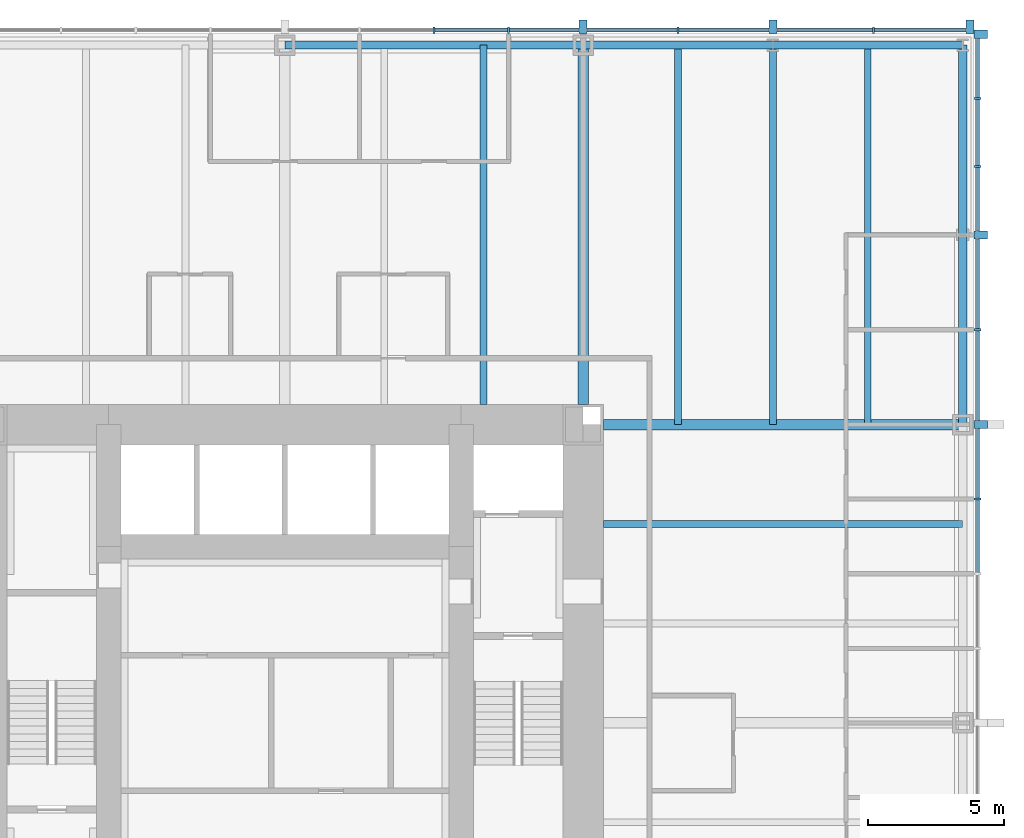
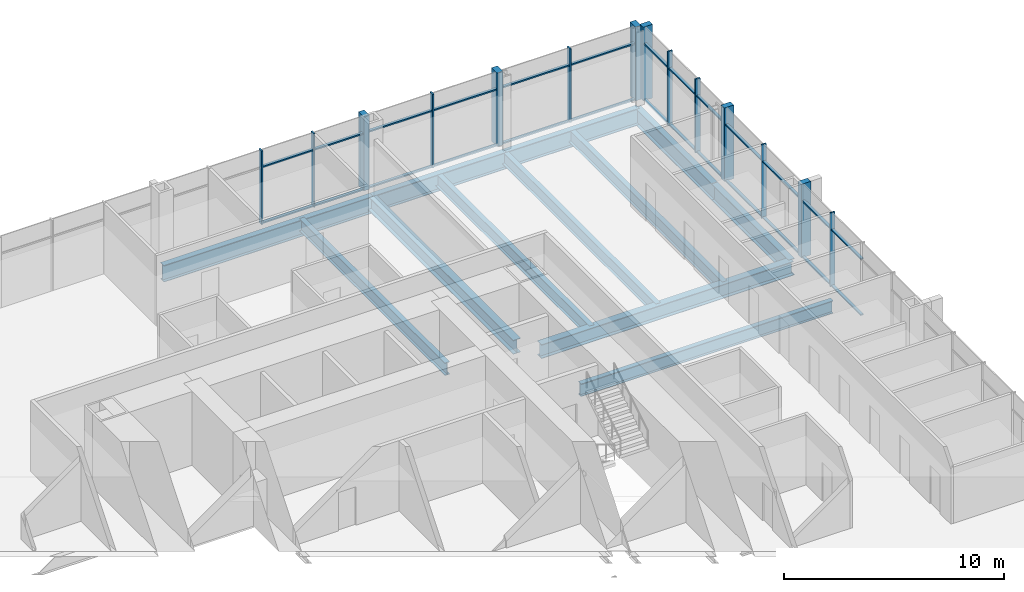
# One storey, part 6 of 12: 40 members, 12 beams, 2 elements without a shape of their own.
"""IFC4 building model written with IfcOpenShell, lengths in metres."""

from ifc_helpers import new_model, si_unit, direction, frame, origin, origin_2d, place, context, subcontext, project, spatial, rectangle, i_section, extrude, material, material_profile, profile_set, type_object, element, aggregate, save


model = new_model("IFC4")

# Units and contexts
model_context = context("Model", 3, precision=1e-05, world=origin(), true_north=direction((0.0, 1.0)))
body_context = subcontext(model_context, "Body", "Model", "MODEL_VIEW")
ifc_project = project(units=[si_unit("LENGTHUNIT", "METRE"), si_unit("AREAUNIT", "SQUARE_METRE"), si_unit("VOLUMEUNIT", "CUBIC_METRE"), si_unit("PLANEANGLEUNIT", "RADIAN"), si_unit("MASSUNIT", "GRAM", prefix="KILO")], contexts=[model_context])

# Site, building, storey
site_placement = place(None, origin())
site = spatial("IfcSite", under=ifc_project, at=site_placement, CompositionType="ELEMENT")
building_placement = place(site_placement, origin())
building = spatial("IfcBuilding", under=site, at=building_placement, Name="Trevanion Tower", CompositionType="ELEMENT")
storey_placement = place(building_placement, frame((0.0, 0.0, 52.89990234375)))
storey = spatial("IfcBuildingStorey", under=building, at=storey_placement, Name="L12", CompositionType="ELEMENT", Elevation=52.89990234375)

# Beams
ifc_material_1 = material(Name="Steel ASTM A992 Grade 50", Category="steel")
ifc_material_profile_1 = material_profile(ifc_material_1, i_section(OverallWidth=0.25390625, OverallDepth=0.700927734375, WebThickness=0.015380859375, FlangeThickness=0.02783203125, at=origin_2d()), Name="W27X129")
ifc_profile_set_1 = profile_set([ifc_material_profile_1], Name="Steel ASTM A992 Grade 50")
beam_type_1 = type_object("IfcBeamType", Name="B3 W27X129", PredefinedType="BEAM", material=ifc_profile_set_1)
for number, where, z_axis, x_axis, name in (
    (1, (11.75, 7.333251953125, -0.540283203125), (1.0, 0.0, 0.0), (0.0, 1.0, 0.0), "B3 L12"),
    (2, (7.333251953125, 11.75, -0.540283203125), (0.0, 1.0, 0.0), (-1.0, 0.0, 0.0), "B3 L12"),
):
    element("IfcBeam", number, at=place(storey_placement, frame(where, z_axis=z_axis, x_axis=x_axis)), inside=storey, type_object=beam_type_1, Name=name, PredefinedType="BEAM", context=body_context, shape_type="SweptSolid", body=[
        extrude(i_section(OverallWidth=0.25390625, OverallDepth=0.700927734375, WebThickness=0.015380859375, FlangeThickness=0.02783203125, at=origin_2d()), origin(), (0.0, 0.0, 1.0), 13.25),
    ])
ifc_material_2 = material(Name="Steel ASTM A992 Grade 50", Category="steel")
ifc_material_profile_2 = material_profile(ifc_material_2, i_section(OverallWidth=0.256591796875, OverallDepth=0.693359375, WebThickness=0.014404296875, FlangeThickness=0.023681640625, at=origin_2d()), Name="W27X114")
ifc_profile_set_2 = profile_set([ifc_material_profile_2], Name="Steel ASTM A992 Grade 50")
beam_type_2 = type_object("IfcBeamType", Name="B4 W27X114", PredefinedType="BEAM", material=ifc_profile_set_2)
for number, where, z_axis, x_axis, name in (
    (3, (14.5, 11.0, -0.53662109375), (0.0, 1.0, 0.0), (-1.0, 0.0, 0.0), "B4 L12"),
    (4, (18.0, 11.0, -0.53662109375), (0.0, 1.0, 0.0), (-1.0, 0.0, 0.0), "B4 L12"),
    (5, (21.5, 11.0, -0.53662109375), (0.0, 1.0, 0.0), (-1.0, 0.0, 0.0), "B4 L12"),
):
    element("IfcBeam", number, at=place(storey_placement, frame(where, z_axis=z_axis, x_axis=x_axis)), inside=storey, type_object=beam_type_2, Name=name, PredefinedType="BEAM", context=body_context, shape_type="SweptSolid", body=[
        extrude(i_section(OverallWidth=0.256591796875, OverallDepth=0.693359375, WebThickness=0.014404296875, FlangeThickness=0.023681640625, at=origin_2d()), origin(), (0.0, 0.0, 1.0), 14.0),
    ])

# Curtain wall, members
ifc_material_3 = material(Name="Aluminium and glass", Category="aluminium")
curtain_wall_type = type_object("IfcCurtainWallType", Name="CW1 curtain wall", PredefinedType="USERDEFINED", material=ifc_material_3)
curtain_wall_1_placement = place(storey_placement, origin())
curtain_wall_1 = element("IfcCurtainWall", 6, at=curtain_wall_1_placement, inside=storey, type_object=curtain_wall_type, Name="CW1 L12 0", ObjectType="UNITISED CURTAIN WALL", PredefinedType="USERDEFINED")
ifc_material_4 = material(Name="Aluminium extrusion, anodised bronze", Category="aluminium")
ifc_material_profile_3 = material_profile(ifc_material_4, rectangle(XDim=0.074951171875, YDim=0.25, at=origin_2d()), Name="CW1 mullion")
ifc_profile_set_3 = profile_set([ifc_material_profile_3], Name="Aluminium extrusion, anodised bronze")
member_type_1 = type_object("IfcMemberType", Name="CW1 mullion", PredefinedType="MULLION", material=ifc_profile_set_3)
member_1_placement = place(storey_placement, frame((25.550048828125, 8.25, -0.18994140625), z_axis=(0.0, 0.0, 1.0), x_axis=(0.0, 1.0, 0.0)))
member_1 = element("IfcMember", 7, at=member_1_placement, type_object=member_type_1, Name="CW1 mullion 12", PredefinedType="MULLION", context=body_context, shape_type="SweptSolid", body=[
    extrude(rectangle(XDim=0.074951171875, YDim=0.25, at=origin_2d()), origin(), (0.0, 0.0, 1.0), 4.10009765625),
])
member_2_placement = place(storey_placement, frame((25.550048828125, 14.5, -0.18994140625), z_axis=(0.0, 0.0, 1.0), x_axis=(0.0, 1.0, 0.0)))
member_2 = element("IfcMember", 8, at=member_2_placement, type_object=member_type_1, Name="CW1 mullion 14", PredefinedType="MULLION", context=body_context, shape_type="SweptSolid", body=[
    extrude(rectangle(XDim=0.074951171875, YDim=0.25, at=origin_2d()), origin(), (0.0, 0.0, 1.0), 4.10009765625),
])
member_3_placement = place(storey_placement, frame((25.550048828125, 20.5166015625, -0.18994140625), z_axis=(0.0, 0.0, 1.0), x_axis=(0.0, 1.0, 0.0)))
member_3 = element("IfcMember", 9, at=member_3_placement, type_object=member_type_1, Name="CW1 mullion 16", PredefinedType="MULLION", context=body_context, shape_type="SweptSolid", body=[
    extrude(rectangle(XDim=0.074951171875, YDim=0.25, at=origin_2d()), origin(), (0.0, 0.0, 1.0), 4.10009765625),
])
member_4_placement = place(storey_placement, frame((25.550048828125, 23.033203125, -0.18994140625), z_axis=(0.0, 0.0, 1.0), x_axis=(0.0, 1.0, 0.0)))
member_4 = element("IfcMember", 10, at=member_4_placement, type_object=member_type_1, Name="CW1 mullion 17", PredefinedType="MULLION", context=body_context, shape_type="SweptSolid", body=[
    extrude(rectangle(XDim=0.074951171875, YDim=0.25, at=origin_2d()), origin(), (0.0, 0.0, 1.0), 4.10009765625),
])

curtain_wall_2_placement = place(storey_placement, origin())
curtain_wall_2 = element("IfcCurtainWall", 11, at=curtain_wall_2_placement, inside=storey, type_object=curtain_wall_type, Name="CW1 L12 1", ObjectType="UNITISED CURTAIN WALL", PredefinedType="USERDEFINED")
member_5_placement = place(storey_placement, frame((21.7099609375, 25.550048828125, -0.18994140625), z_axis=(0.0, 0.0, 1.0), x_axis=(-1.0, 0.0, 0.0)))
member_5 = element("IfcMember", 12, at=member_5_placement, type_object=member_type_1, Name="CW1 mullion 2", PredefinedType="MULLION", context=body_context, shape_type="SweptSolid", body=[
    extrude(rectangle(XDim=0.074951171875, YDim=0.25, at=origin_2d()), origin(), (0.0, 0.0, 1.0), 4.10009765625),
])
member_6_placement = place(storey_placement, frame((14.5, 25.550048828125, -0.18994140625), z_axis=(0.0, 0.0, 1.0), x_axis=(-1.0, 0.0, 0.0)))
member_6 = element("IfcMember", 13, at=member_6_placement, type_object=member_type_1, Name="CW1 mullion 4", PredefinedType="MULLION", context=body_context, shape_type="SweptSolid", body=[
    extrude(rectangle(XDim=0.074951171875, YDim=0.25, at=origin_2d()), origin(), (0.0, 0.0, 1.0), 4.10009765625),
])
member_7_placement = place(storey_placement, frame((8.25, 25.550048828125, -0.18994140625), z_axis=(0.0, 0.0, 1.0), x_axis=(-1.0, 0.0, 0.0)))
member_7 = element("IfcMember", 14, at=member_7_placement, type_object=member_type_1, Name="CW1 mullion 6", PredefinedType="MULLION", context=body_context, shape_type="SweptSolid", body=[
    extrude(rectangle(XDim=0.074951171875, YDim=0.25, at=origin_2d()), origin(), (0.0, 0.0, 1.0), 4.10009765625),
])
member_8_placement = place(storey_placement, frame((5.5, 25.550048828125, -0.18994140625), z_axis=(0.0, 0.0, 1.0), x_axis=(-1.0, 0.0, 0.0)))
member_8 = element("IfcMember", 15, at=member_8_placement, type_object=member_type_1, Name="CW1 mullion 7", PredefinedType="MULLION", context=body_context, shape_type="SweptSolid", body=[
    extrude(rectangle(XDim=0.074951171875, YDim=0.25, at=origin_2d()), origin(), (0.0, 0.0, 1.0), 4.10009765625),
])

# Member
ifc_material_5 = material(Name="Aluminium extrusion, anodised bronze", Category="aluminium")
ifc_material_profile_4 = material_profile(ifc_material_5, rectangle(XDim=0.300048828125, YDim=0.5, at=origin_2d()), Name="CW1 pier mullion")
ifc_profile_set_4 = profile_set([ifc_material_profile_4], Name="Aluminium extrusion, anodised bronze")
member_type_2 = type_object("IfcMemberType", Name="CW1 pier mullion", PredefinedType="MULLION", material=ifc_profile_set_4)
member_9_placement = place(storey_placement, frame((25.675048828125, 11.0, -0.18994140625), z_axis=(0.0, 0.0, 1.0), x_axis=(0.0, 1.0, 0.0)))
member_9 = element("IfcMember", 16, at=member_9_placement, type_object=member_type_2, Name="CW1 pier mullion 13", PredefinedType="MULLION", context=body_context, shape_type="SweptSolid", body=[
    extrude(rectangle(XDim=0.300048828125, YDim=0.5, at=origin_2d()), origin(), (0.0, 0.0, 1.0), 4.10009765625),
])

member_10_placement = place(storey_placement, frame((25.675048828125, 18.0, -0.18994140625), z_axis=(0.0, 0.0, 1.0), x_axis=(0.0, 1.0, 0.0)))
member_10 = element("IfcMember", 17, at=member_10_placement, type_object=member_type_2, Name="CW1 pier mullion 15", PredefinedType="MULLION", context=body_context, shape_type="SweptSolid", body=[
    extrude(rectangle(XDim=0.300048828125, YDim=0.5, at=origin_2d()), origin(), (0.0, 0.0, 1.0), 4.10009765625),
])

member_11_placement = place(storey_placement, frame((25.675048828125, 25.39990234375, -0.18994140625), z_axis=(0.0, 0.0, 1.0), x_axis=(0.0, 1.0, 0.0)))
member_11 = element("IfcMember", 18, at=member_11_placement, type_object=member_type_2, Name="CW1 pier mullion 18", PredefinedType="MULLION", context=body_context, shape_type="SweptSolid", body=[
    extrude(rectangle(XDim=0.300048828125, YDim=0.5, at=origin_2d()), origin(), (0.0, 0.0, 1.0), 4.10009765625),
])

member_12_placement = place(storey_placement, frame((25.27001953125, 25.675048828125, -0.18994140625), z_axis=(0.0, 0.0, 1.0), x_axis=(-1.0, 0.0, 0.0)))
member_12 = element("IfcMember", 19, at=member_12_placement, type_object=member_type_2, Name="CW1 pier mullion 1", PredefinedType="MULLION", context=body_context, shape_type="SweptSolid", body=[
    extrude(rectangle(XDim=0.300048828125, YDim=0.5, at=origin_2d()), origin(), (0.0, 0.0, 1.0), 4.10009765625),
])

member_13_placement = place(storey_placement, frame((18.0, 25.675048828125, -0.18994140625), z_axis=(0.0, 0.0, 1.0), x_axis=(-1.0, 0.0, 0.0)))
member_13 = element("IfcMember", 20, at=member_13_placement, type_object=member_type_2, Name="CW1 pier mullion 3", PredefinedType="MULLION", context=body_context, shape_type="SweptSolid", body=[
    extrude(rectangle(XDim=0.300048828125, YDim=0.5, at=origin_2d()), origin(), (0.0, 0.0, 1.0), 4.10009765625),
])

member_14_placement = place(storey_placement, frame((11.0, 25.675048828125, -0.18994140625), z_axis=(0.0, 0.0, 1.0), x_axis=(-1.0, 0.0, 0.0)))
member_14 = element("IfcMember", 21, at=member_14_placement, type_object=member_type_2, Name="CW1 pier mullion 5", PredefinedType="MULLION", context=body_context, shape_type="SweptSolid", body=[
    extrude(rectangle(XDim=0.300048828125, YDim=0.5, at=origin_2d()), origin(), (0.0, 0.0, 1.0), 4.10009765625),
])

ifc_material_6 = material(Name="Aluminium extrusion, anodised bronze", Category="aluminium")
ifc_material_profile_5 = material_profile(ifc_material_6, rectangle(XDim=0.14990234375, YDim=0.074951171875, at=origin_2d()), Name="CW1 transom")
ifc_profile_set_5 = profile_set([ifc_material_profile_5], Name="Aluminium extrusion, anodised bronze")
member_type_3 = type_object("IfcMemberType", Name="CW1 transom", PredefinedType="USERDEFINED", material=ifc_profile_set_5)
member_15_placement = place(storey_placement, frame((25.550048828125, 5.53759765625, -0.15234375), z_axis=(0.0, 1.0, 0.0), x_axis=(-1.0, 0.0, 0.0)))
member_15 = element("IfcMember", 22, at=member_15_placement, type_object=member_type_3, Name="CW1 transom 11.1", ObjectType="TRANSOM", PredefinedType="USERDEFINED", context=body_context, shape_type="SweptSolid", body=[
    extrude(rectangle(XDim=0.14990234375, YDim=0.074951171875, at=origin_2d()), origin(), (0.0, 0.0, 1.0), 2.6748046875),
])

member_16_placement = place(storey_placement, frame((25.550048828125, 5.53759765625, 2.960205078125), z_axis=(0.0, 1.0, 0.0), x_axis=(-1.0, 0.0, 0.0)))
member_16 = element("IfcMember", 23, at=member_16_placement, type_object=member_type_3, Name="CW1 transom 11.2", ObjectType="TRANSOM", PredefinedType="USERDEFINED", context=body_context, shape_type="SweptSolid", body=[
    extrude(rectangle(XDim=0.14990234375, YDim=0.074951171875, at=origin_2d()), origin(), (0.0, 0.0, 1.0), 2.6748046875),
])

member_17_placement = place(storey_placement, frame((25.550048828125, 8.28759765625, -0.15234375), z_axis=(0.0, 1.0, 0.0), x_axis=(-1.0, 0.0, 0.0)))
member_17 = element("IfcMember", 24, at=member_17_placement, type_object=member_type_3, Name="CW1 transom 12.1", ObjectType="TRANSOM", PredefinedType="USERDEFINED", context=body_context, shape_type="SweptSolid", body=[
    extrude(rectangle(XDim=0.14990234375, YDim=0.074951171875, at=origin_2d()), origin(), (0.0, 0.0, 1.0), 2.5625),
])

member_18_placement = place(storey_placement, frame((25.550048828125, 8.28759765625, 2.960205078125), z_axis=(0.0, 1.0, 0.0), x_axis=(-1.0, 0.0, 0.0)))
member_18 = element("IfcMember", 25, at=member_18_placement, type_object=member_type_3, Name="CW1 transom 12.2", ObjectType="TRANSOM", PredefinedType="USERDEFINED", context=body_context, shape_type="SweptSolid", body=[
    extrude(rectangle(XDim=0.14990234375, YDim=0.074951171875, at=origin_2d()), origin(), (0.0, 0.0, 1.0), 2.5625),
])

member_19_placement = place(storey_placement, frame((25.550048828125, 11.14990234375, -0.15234375), z_axis=(0.0, 1.0, 0.0), x_axis=(-1.0, 0.0, 0.0)))
member_19 = element("IfcMember", 26, at=member_19_placement, type_object=member_type_3, Name="CW1 transom 13.1", ObjectType="TRANSOM", PredefinedType="USERDEFINED", context=body_context, shape_type="SweptSolid", body=[
    extrude(rectangle(XDim=0.14990234375, YDim=0.074951171875, at=origin_2d()), origin(), (0.0, 0.0, 1.0), 3.3125),
])

member_20_placement = place(storey_placement, frame((25.550048828125, 11.14990234375, 2.960205078125), z_axis=(0.0, 1.0, 0.0), x_axis=(-1.0, 0.0, 0.0)))
member_20 = element("IfcMember", 27, at=member_20_placement, type_object=member_type_3, Name="CW1 transom 13.2", ObjectType="TRANSOM", PredefinedType="USERDEFINED", context=body_context, shape_type="SweptSolid", body=[
    extrude(rectangle(XDim=0.14990234375, YDim=0.074951171875, at=origin_2d()), origin(), (0.0, 0.0, 1.0), 3.3125),
])

member_21_placement = place(storey_placement, frame((25.550048828125, 14.53759765625, -0.15234375), z_axis=(0.0, 1.0, 0.0), x_axis=(-1.0, 0.0, 0.0)))
member_21 = element("IfcMember", 28, at=member_21_placement, type_object=member_type_3, Name="CW1 transom 14.1", ObjectType="TRANSOM", PredefinedType="USERDEFINED", context=body_context, shape_type="SweptSolid", body=[
    extrude(rectangle(XDim=0.14990234375, YDim=0.074951171875, at=origin_2d()), origin(), (0.0, 0.0, 1.0), 3.3125),
])

member_22_placement = place(storey_placement, frame((25.550048828125, 14.53759765625, 2.960205078125), z_axis=(0.0, 1.0, 0.0), x_axis=(-1.0, 0.0, 0.0)))
member_22 = element("IfcMember", 29, at=member_22_placement, type_object=member_type_3, Name="CW1 transom 14.2", ObjectType="TRANSOM", PredefinedType="USERDEFINED", context=body_context, shape_type="SweptSolid", body=[
    extrude(rectangle(XDim=0.14990234375, YDim=0.074951171875, at=origin_2d()), origin(), (0.0, 0.0, 1.0), 3.3125),
])

member_23_placement = place(storey_placement, frame((25.550048828125, 18.14990234375, -0.15234375), z_axis=(0.0, 1.0, 0.0), x_axis=(-1.0, 0.0, 0.0)))
member_23 = element("IfcMember", 30, at=member_23_placement, type_object=member_type_3, Name="CW1 transom 15.1", ObjectType="TRANSOM", PredefinedType="USERDEFINED", context=body_context, shape_type="SweptSolid", body=[
    extrude(rectangle(XDim=0.14990234375, YDim=0.074951171875, at=origin_2d()), origin(), (0.0, 0.0, 1.0), 2.329345703125),
])

member_24_placement = place(storey_placement, frame((25.550048828125, 18.14990234375, 2.960205078125), z_axis=(0.0, 1.0, 0.0), x_axis=(-1.0, 0.0, 0.0)))
member_24 = element("IfcMember", 31, at=member_24_placement, type_object=member_type_3, Name="CW1 transom 15.2", ObjectType="TRANSOM", PredefinedType="USERDEFINED", context=body_context, shape_type="SweptSolid", body=[
    extrude(rectangle(XDim=0.14990234375, YDim=0.074951171875, at=origin_2d()), origin(), (0.0, 0.0, 1.0), 2.329345703125),
])

member_25_placement = place(storey_placement, frame((25.550048828125, 20.55419921875, -0.15234375), z_axis=(0.0, 1.0, 0.0), x_axis=(-1.0, 0.0, 0.0)))
member_25 = element("IfcMember", 32, at=member_25_placement, type_object=member_type_3, Name="CW1 transom 16.1", ObjectType="TRANSOM", PredefinedType="USERDEFINED", context=body_context, shape_type="SweptSolid", body=[
    extrude(rectangle(XDim=0.14990234375, YDim=0.074951171875, at=origin_2d()), origin(), (0.0, 0.0, 1.0), 2.441650390625),
])

member_26_placement = place(storey_placement, frame((25.550048828125, 20.55419921875, 2.960205078125), z_axis=(0.0, 1.0, 0.0), x_axis=(-1.0, 0.0, 0.0)))
member_26 = element("IfcMember", 33, at=member_26_placement, type_object=member_type_3, Name="CW1 transom 16.2", ObjectType="TRANSOM", PredefinedType="USERDEFINED", context=body_context, shape_type="SweptSolid", body=[
    extrude(rectangle(XDim=0.14990234375, YDim=0.074951171875, at=origin_2d()), origin(), (0.0, 0.0, 1.0), 2.441650390625),
])

member_27_placement = place(storey_placement, frame((25.550048828125, 23.07080078125, -0.15234375), z_axis=(0.0, 1.0, 0.0), x_axis=(-1.0, 0.0, 0.0)))
member_27 = element("IfcMember", 34, at=member_27_placement, type_object=member_type_3, Name="CW1 transom 17.1", ObjectType="TRANSOM", PredefinedType="USERDEFINED", context=body_context, shape_type="SweptSolid", body=[
    extrude(rectangle(XDim=0.14990234375, YDim=0.074951171875, at=origin_2d()), origin(), (0.0, 0.0, 1.0), 2.17919921875),
])

member_28_placement = place(storey_placement, frame((25.550048828125, 23.07080078125, 2.960205078125), z_axis=(0.0, 1.0, 0.0), x_axis=(-1.0, 0.0, 0.0)))
member_28 = element("IfcMember", 35, at=member_28_placement, type_object=member_type_3, Name="CW1 transom 17.2", ObjectType="TRANSOM", PredefinedType="USERDEFINED", context=body_context, shape_type="SweptSolid", body=[
    extrude(rectangle(XDim=0.14990234375, YDim=0.074951171875, at=origin_2d()), origin(), (0.0, 0.0, 1.0), 2.17919921875),
])

aggregate(curtain_wall_1, [member_1, member_9, member_2, member_10, member_3, member_4, member_11, member_15, member_16, member_17, member_18, member_19, member_20, member_21, member_22, member_23, member_24, member_25, member_26, member_27, member_28])

member_29_placement = place(storey_placement, frame((25.1201171875, 25.550048828125, -0.15234375), z_axis=(-1.0, 0.0, 0.0), x_axis=(0.0, -1.0, 0.0)))
member_29 = element("IfcMember", 36, at=member_29_placement, type_object=member_type_3, Name="CW1 transom 1.1", ObjectType="TRANSOM", PredefinedType="USERDEFINED", context=body_context, shape_type="SweptSolid", body=[
    extrude(rectangle(XDim=0.14990234375, YDim=0.074951171875, at=origin_2d()), origin(), (0.0, 0.0, 1.0), 3.37255859375),
])

member_30_placement = place(storey_placement, frame((25.1201171875, 25.550048828125, 2.960205078125), z_axis=(-1.0, 0.0, 0.0), x_axis=(0.0, -1.0, 0.0)))
member_30 = element("IfcMember", 37, at=member_30_placement, type_object=member_type_3, Name="CW1 transom 1.2", ObjectType="TRANSOM", PredefinedType="USERDEFINED", context=body_context, shape_type="SweptSolid", body=[
    extrude(rectangle(XDim=0.14990234375, YDim=0.074951171875, at=origin_2d()), origin(), (0.0, 0.0, 1.0), 3.37255859375),
])

member_31_placement = place(storey_placement, frame((21.672607421875, 25.550048828125, -0.15234375), z_axis=(-1.0, 0.0, 0.0), x_axis=(0.0, -1.0, 0.0)))
member_31 = element("IfcMember", 38, at=member_31_placement, type_object=member_type_3, Name="CW1 transom 2.1", ObjectType="TRANSOM", PredefinedType="USERDEFINED", context=body_context, shape_type="SweptSolid", body=[
    extrude(rectangle(XDim=0.14990234375, YDim=0.074951171875, at=origin_2d()), origin(), (0.0, 0.0, 1.0), 3.522705078125),
])

member_32_placement = place(storey_placement, frame((21.672607421875, 25.550048828125, 2.960205078125), z_axis=(-1.0, 0.0, 0.0), x_axis=(0.0, -1.0, 0.0)))
member_32 = element("IfcMember", 39, at=member_32_placement, type_object=member_type_3, Name="CW1 transom 2.2", ObjectType="TRANSOM", PredefinedType="USERDEFINED", context=body_context, shape_type="SweptSolid", body=[
    extrude(rectangle(XDim=0.14990234375, YDim=0.074951171875, at=origin_2d()), origin(), (0.0, 0.0, 1.0), 3.522705078125),
])

member_33_placement = place(storey_placement, frame((17.85009765625, 25.550048828125, -0.15234375), z_axis=(-1.0, 0.0, 0.0), x_axis=(0.0, -1.0, 0.0)))
member_33 = element("IfcMember", 40, at=member_33_placement, type_object=member_type_3, Name="CW1 transom 3.1", ObjectType="TRANSOM", PredefinedType="USERDEFINED", context=body_context, shape_type="SweptSolid", body=[
    extrude(rectangle(XDim=0.14990234375, YDim=0.074951171875, at=origin_2d()), origin(), (0.0, 0.0, 1.0), 3.3125),
])

member_34_placement = place(storey_placement, frame((17.85009765625, 25.550048828125, 2.960205078125), z_axis=(-1.0, 0.0, 0.0), x_axis=(0.0, -1.0, 0.0)))
member_34 = element("IfcMember", 41, at=member_34_placement, type_object=member_type_3, Name="CW1 transom 3.2", ObjectType="TRANSOM", PredefinedType="USERDEFINED", context=body_context, shape_type="SweptSolid", body=[
    extrude(rectangle(XDim=0.14990234375, YDim=0.074951171875, at=origin_2d()), origin(), (0.0, 0.0, 1.0), 3.3125),
])

member_35_placement = place(storey_placement, frame((14.46240234375, 25.550048828125, -0.15234375), z_axis=(-1.0, 0.0, 0.0), x_axis=(0.0, -1.0, 0.0)))
member_35 = element("IfcMember", 42, at=member_35_placement, type_object=member_type_3, Name="CW1 transom 4.1", ObjectType="TRANSOM", PredefinedType="USERDEFINED", context=body_context, shape_type="SweptSolid", body=[
    extrude(rectangle(XDim=0.14990234375, YDim=0.074951171875, at=origin_2d()), origin(), (0.0, 0.0, 1.0), 3.3125),
])

member_36_placement = place(storey_placement, frame((14.46240234375, 25.550048828125, 2.960205078125), z_axis=(-1.0, 0.0, 0.0), x_axis=(0.0, -1.0, 0.0)))
member_36 = element("IfcMember", 43, at=member_36_placement, type_object=member_type_3, Name="CW1 transom 4.2", ObjectType="TRANSOM", PredefinedType="USERDEFINED", context=body_context, shape_type="SweptSolid", body=[
    extrude(rectangle(XDim=0.14990234375, YDim=0.074951171875, at=origin_2d()), origin(), (0.0, 0.0, 1.0), 3.3125),
])

member_37_placement = place(storey_placement, frame((10.85009765625, 25.550048828125, -0.15234375), z_axis=(-1.0, 0.0, 0.0), x_axis=(0.0, -1.0, 0.0)))
member_37 = element("IfcMember", 44, at=member_37_placement, type_object=member_type_3, Name="CW1 transom 5.1", ObjectType="TRANSOM", PredefinedType="USERDEFINED", context=body_context, shape_type="SweptSolid", body=[
    extrude(rectangle(XDim=0.14990234375, YDim=0.074951171875, at=origin_2d()), origin(), (0.0, 0.0, 1.0), 2.5625),
])

member_38_placement = place(storey_placement, frame((10.85009765625, 25.550048828125, 2.960205078125), z_axis=(-1.0, 0.0, 0.0), x_axis=(0.0, -1.0, 0.0)))
member_38 = element("IfcMember", 45, at=member_38_placement, type_object=member_type_3, Name="CW1 transom 5.2", ObjectType="TRANSOM", PredefinedType="USERDEFINED", context=body_context, shape_type="SweptSolid", body=[
    extrude(rectangle(XDim=0.14990234375, YDim=0.074951171875, at=origin_2d()), origin(), (0.0, 0.0, 1.0), 2.5625),
])

member_39_placement = place(storey_placement, frame((8.21240234375, 25.550048828125, -0.15234375), z_axis=(-1.0, 0.0, 0.0), x_axis=(0.0, -1.0, 0.0)))
member_39 = element("IfcMember", 46, at=member_39_placement, type_object=member_type_3, Name="CW1 transom 6.1", ObjectType="TRANSOM", PredefinedType="USERDEFINED", context=body_context, shape_type="SweptSolid", body=[
    extrude(rectangle(XDim=0.14990234375, YDim=0.074951171875, at=origin_2d()), origin(), (0.0, 0.0, 1.0), 2.6748046875),
])

member_40_placement = place(storey_placement, frame((8.21240234375, 25.550048828125, 2.960205078125), z_axis=(-1.0, 0.0, 0.0), x_axis=(0.0, -1.0, 0.0)))
member_40 = element("IfcMember", 47, at=member_40_placement, type_object=member_type_3, Name="CW1 transom 6.2", ObjectType="TRANSOM", PredefinedType="USERDEFINED", context=body_context, shape_type="SweptSolid", body=[
    extrude(rectangle(XDim=0.14990234375, YDim=0.074951171875, at=origin_2d()), origin(), (0.0, 0.0, 1.0), 2.6748046875),
])

aggregate(curtain_wall_2, [member_12, member_5, member_13, member_6, member_14, member_7, member_8, member_29, member_30, member_31, member_32, member_33, member_34, member_35, member_36, member_37, member_38, member_39, member_40])

# Beams
ifc_material_7 = material(Name="Steel ASTM A992 Grade 50", Category="steel")
ifc_material_profile_6 = material_profile(ifc_material_7, i_section(OverallWidth=0.381103515625, OverallDepth=0.77978515625, WebThickness=0.01806640625, FlangeThickness=0.0302734375, at=origin_2d()), Name="W30X191")
ifc_profile_set_6 = profile_set([ifc_material_profile_6], Name="Steel ASTM A992 Grade 50")
beam_type_3 = type_object("IfcBeamType", Name="G2 W30X191", PredefinedType="BEAM", material=ifc_profile_set_6)
for number, where, z_axis, x_axis, name in (
    (48, (11.75, 11.0, -0.579833984375), (1.0, 0.0, 0.0), (0.0, 1.0, 0.0), "G2 L12"),
    (49, (11.0, 11.75, -0.579833984375), (0.0, 1.0, 0.0), (-1.0, 0.0, 0.0), "G2 L12"),
):
    element("IfcBeam", number, at=place(storey_placement, frame(where, z_axis=z_axis, x_axis=x_axis)), inside=storey, type_object=beam_type_3, Name=name, PredefinedType="BEAM", context=body_context, shape_type="SweptSolid", body=[
        extrude(i_section(OverallWidth=0.381103515625, OverallDepth=0.77978515625, WebThickness=0.01806640625, FlangeThickness=0.0302734375, at=origin_2d()), origin(), (0.0, 0.0, 1.0), 13.25),
    ])
ifc_material_8 = material(Name="Steel ASTM A992 Grade 50", Category="steel")
ifc_material_profile_7 = material_profile(ifc_material_8, i_section(OverallWidth=0.307373046875, OverallDepth=0.927001953125, WebThickness=0.01953125, FlangeThickness=0.031982421875, at=origin_2d()), Name="W36X194")
ifc_profile_set_7 = profile_set([ifc_material_profile_7], Name="Steel ASTM A992 Grade 50")
beam_type_4 = type_object("IfcBeamType", Name="SB2 W36X194", PredefinedType="SPANDREL", material=ifc_profile_set_7)
for number, where, z_axis, x_axis, name in (
    (50, (25.0, 11.0, -0.6533203125), (0.0, 1.0, 0.0), (-1.0, 0.0, 0.0), "SB2 L12"),
    (51, (25.0, 18.0, -0.6533203125), (0.0, 1.0, 0.0), (-1.0, 0.0, 0.0), "SB2 L12"),
    (52, (25.0, 25.0, -0.6533203125), (-1.0, 0.0, 0.0), (0.0, -1.0, 0.0), "SB2 L12"),
    (53, (18.0, 25.0, -0.6533203125), (-1.0, 0.0, 0.0), (0.0, -1.0, 0.0), "SB2 L12"),
):
    element("IfcBeam", number, at=place(storey_placement, frame(where, z_axis=z_axis, x_axis=x_axis)), inside=storey, type_object=beam_type_4, Name=name, PredefinedType="SPANDREL", context=body_context, shape_type="SweptSolid", body=[
        extrude(i_section(OverallWidth=0.307373046875, OverallDepth=0.927001953125, WebThickness=0.01953125, FlangeThickness=0.031982421875, at=origin_2d()), origin(), (0.0, 0.0, 1.0), 7.0),
    ])
beam_placement = place(storey_placement, frame((11.0, 25.0, -0.6533203125), z_axis=(-1.0, 0.0, 0.0), x_axis=(0.0, -1.0, 0.0)))
element("IfcBeam", 54, at=beam_placement, inside=storey, type_object=beam_type_4, Name="SB2 L12", PredefinedType="SPANDREL", context=body_context, shape_type="SweptSolid", body=[
    extrude(i_section(OverallWidth=0.307373046875, OverallDepth=0.927001953125, WebThickness=0.01953125, FlangeThickness=0.031982421875, at=origin_2d()), origin(), (0.0, 0.0, 1.0), 11.0),
])

save(model, "model.ifc")
